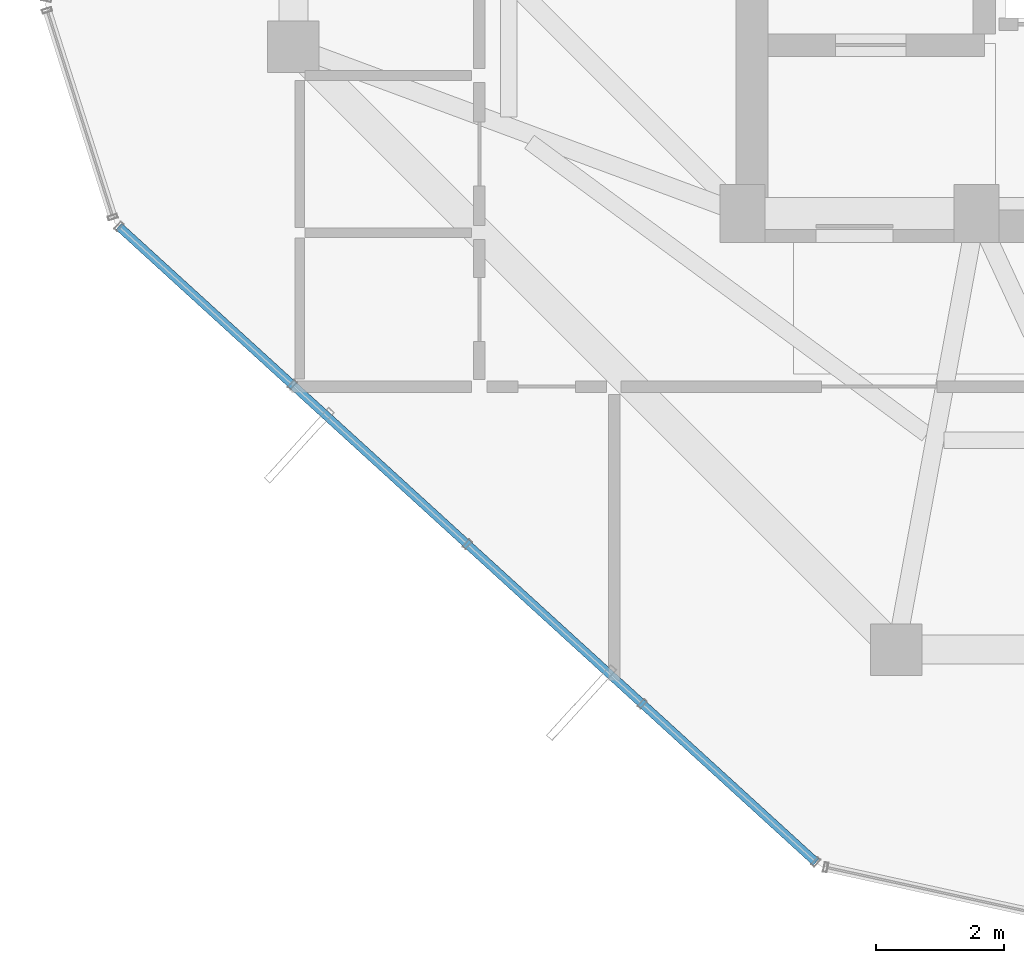
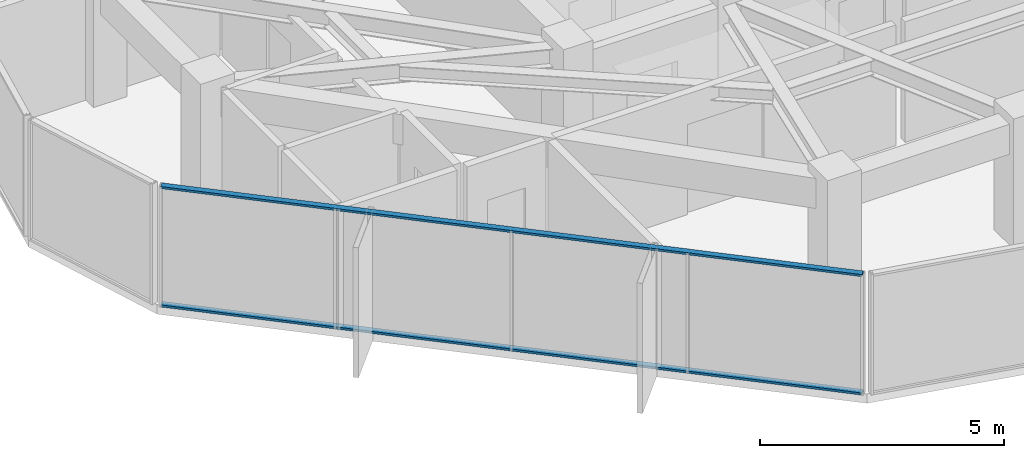
# One storey, part 3 of 28: 2 members, 1 element without a shape of its own.
"""IFC4 building model written with IfcOpenShell, lengths in metres."""

import ifcopenshell
import ifcopenshell.guid

model = None  # the IFC model being written
_history = None  # IfcOwnerHistory: only IFC2X3 demands one
_inside = {}  # id of a spatial element -> (the spatial element, [elements in it])
_under = {}  # id of a project, library or spatial element -> (it, [spatial elements below it])
_declared = {}  # id of a project -> (the project, [libraries it declares])
_typed = {}  # id of a type object -> (the type object, [elements of that type])
_made_of = {}  # id of a material, layer set ... -> (it, [elements and type objects made of it])


def new_model(schema):
    """Start an empty IFC model of exactly this schema.

    Asked for "IFC4X3", IfcOpenShell would pick the latest addendum, in which some entities
    have other attributes; the version numbers below select the first issue.
    IFC2X3 requires an IfcOwnerHistory on every rooted entity: one is made here for all.
    """
    global model, _history
    if schema == "IFC4X3":
        model = ifcopenshell.file(schema_version=(4, 3, 0, 0))
    else:
        model = ifcopenshell.file(schema=schema)
    _inside.clear()
    _under.clear()
    _declared.clear()
    _typed.clear()
    _made_of.clear()
    _history = None
    if model.schema == "IFC2X3":
        org = make("IfcOrganization", Name="unknown")
        user = make(
            "IfcPersonAndOrganization",
            ThePerson=make("IfcPerson", FamilyName="unknown"),
            TheOrganization=org,
        )
        app = make(
            "IfcApplication",
            ApplicationDeveloper=org,
            Version="unknown",
            ApplicationFullName="unknown",
            ApplicationIdentifier="unknown",
        )
        _history = make(
            "IfcOwnerHistory",
            OwningUser=user,
            OwningApplication=app,
            ChangeAction="ADDED",
            CreationDate=0,
        )
    return model


def make(cls, **values):
    """One entity of the class cls with the attributes given. An attribute that is None is left unset."""
    return model.create_entity(
        cls, **{name: value for name, value in values.items() if value is not None}
    )


def rooted(cls, **values):
    """An entity with a GlobalId (a new one), such as an element, a storey or a relation."""
    return make(cls, GlobalId=ifcopenshell.guid.new(), OwnerHistory=_history, **values)


def si_unit(unit_type, name, prefix=None):
    """IfcSIUnit, for example si_unit("LENGTHUNIT", "METRE", prefix="MILLI")."""
    return make("IfcSIUnit", UnitType=unit_type, Prefix=prefix, Name=name)


def assignment(units):
    """IfcUnitAssignment: the units of a project."""
    return None if units is None else make("IfcUnitAssignment", Units=units)


def point(xyz):
    """IfcCartesianPoint."""
    return None if xyz is None else make("IfcCartesianPoint", Coordinates=xyz)


def direction(xyz):
    """IfcDirection."""
    return None if xyz is None else make("IfcDirection", DirectionRatios=xyz)


def frame(location, z_axis=None, x_axis=None):
    """IfcAxis2Placement3D, a coordinate frame: its origin and axes. An axis left out is left unset."""
    return make(
        "IfcAxis2Placement3D",
        Location=point(location),
        Axis=direction(z_axis),
        RefDirection=direction(x_axis),
    )


def frame_2d(location, x_axis=None):
    """IfcAxis2Placement2D, a coordinate frame in the plane: its origin and x axis."""
    return make(
        "IfcAxis2Placement2D", Location=point(location), RefDirection=direction(x_axis)
    )


def origin():
    """The frame at (0, 0, 0) with its axes left unset."""
    return frame((0.0, 0.0, 0.0))


def origin_2d():
    """The frame at (0, 0) in the plane with its x axis left unset."""
    return frame_2d((0.0, 0.0))


def place(relative_to, where):
    """IfcLocalPlacement: puts the frame where relative to a parent placement (None: the world)."""
    return make(
        "IfcLocalPlacement", PlacementRelTo=relative_to, RelativePlacement=where
    )


def context(
    kind, dimensions, precision=None, world=None, true_north=None, identifier=None
):
    """IfcGeometricRepresentationContext, for example the 3D "Model" context."""
    return make(
        "IfcGeometricRepresentationContext",
        ContextIdentifier=identifier,
        ContextType=kind,
        CoordinateSpaceDimension=dimensions,
        Precision=precision,
        WorldCoordinateSystem=world,
        TrueNorth=true_north,
    )


def subcontext(parent, identifier, kind, view, scale=None):
    """IfcGeometricRepresentationSubContext, for example "Body" below "Model"."""
    return make(
        "IfcGeometricRepresentationSubContext",
        ContextIdentifier=identifier,
        ContextType=kind,
        ParentContext=parent,
        TargetScale=scale,
        TargetView=view,
    )


def project(units=None, contexts=None):
    """IfcProject with its units and contexts."""
    return rooted(
        "IfcProject",
        Name="project",
        RepresentationContexts=contexts,
        UnitsInContext=assignment(units),
    )


def spatial(cls, under=None, at=None, **own):
    """A site, building, storey or space (cls), placed at a placement, below another one or the project."""
    s = rooted(cls, ObjectPlacement=at, **own)
    if under is not None:
        _under.setdefault(under.id(), (under, []))[1].append(s)
    return s


def profile(cls, at=None, kind="AREA", **sizes):
    """A parametric profile (cls). Its sizes go by their IFC names, for example OverallWidth=200.0."""
    return make(cls, ProfileType=kind, Position=at, **sizes)


def hollow_rectangle(**sizes):
    """IfcRectangleHollowProfileDef."""
    return profile("IfcRectangleHollowProfileDef", **sizes)


def extrude(swept, where, along, depth):
    """IfcExtrudedAreaSolid: the profile swept, set in the frame where, extruded along a direction by depth."""
    return make(
        "IfcExtrudedAreaSolid",
        SweptArea=swept,
        Position=where,
        ExtrudedDirection=direction(along),
        Depth=depth,
    )


def shape(context_of_items, identifier, shape_type, items):
    """IfcShapeRepresentation: the items that make up one representation, for example the "Body"."""
    return make(
        "IfcShapeRepresentation",
        ContextOfItems=context_of_items,
        RepresentationIdentifier=identifier,
        RepresentationType=shape_type,
        Items=items,
    )


def source(mapping_origin, context_of_items, identifier, shape_type, items):
    """IfcRepresentationMap: a shape defined once, which mapped items show again and again."""
    return make(
        "IfcRepresentationMap",
        MappingOrigin=mapping_origin,
        MappedRepresentation=shape(context_of_items, identifier, shape_type, items),
    )


def transform(
    local_origin,
    x_axis=None,
    y_axis=None,
    z_axis=None,
    scale=None,
    scale2=None,
    scale3=None,
    uniform=True,
):
    """IfcCartesianTransformationOperator3D, or its non-uniform kind. x_axis, y_axis, z_axis: its Axis1, 2, 3."""
    if uniform:
        return make(
            "IfcCartesianTransformationOperator3D",
            Axis1=direction(x_axis),
            Axis2=direction(y_axis),
            LocalOrigin=point(local_origin),
            Scale=scale,
            Axis3=direction(z_axis),
        )
    return make(
        "IfcCartesianTransformationOperator3DnonUniform",
        Axis1=direction(x_axis),
        Axis2=direction(y_axis),
        LocalOrigin=point(local_origin),
        Scale=scale,
        Axis3=direction(z_axis),
        Scale2=scale2,
        Scale3=scale3,
    )


def mapped(mapping_source, mapping_target):
    """IfcMappedItem: shows the shape of a source again, moved by a transform."""
    return make(
        "IfcMappedItem", MappingSource=mapping_source, MappingTarget=mapping_target
    )


def material(Name=None, Category=None):
    """IfcMaterial."""
    return make("IfcMaterial", Name=Name, Category=Category)


def layer(
    of_material, thickness, ventilated=None, Name=None, Category=None, Priority=None
):
    """IfcMaterialLayer: one layer of a wall or slab, of a material (None: an air gap)."""
    return make(
        "IfcMaterialLayer",
        Material=of_material,
        LayerThickness=thickness,
        IsVentilated=ventilated,
        Name=Name,
        Category=Category,
        Priority=Priority,
    )


def layer_set(layers, Name=None):
    """IfcMaterialLayerSet."""
    return make("IfcMaterialLayerSet", MaterialLayers=layers, LayerSetName=Name)


def material_profile(
    of_material, cross_section, Name=None, Category=None, Priority=None
):
    """IfcMaterialProfile: a cross section and its material."""
    return make(
        "IfcMaterialProfile",
        Name=Name,
        Material=of_material,
        Profile=cross_section,
        Priority=Priority,
        Category=Category,
    )


def profile_set(profiles, Name=None, composite=None):
    """IfcMaterialProfileSet."""
    return make(
        "IfcMaterialProfileSet",
        Name=Name,
        MaterialProfiles=profiles,
        CompositeProfile=composite,
    )


def made_of(thing, what):
    """Note that an element or type object is made of a material, layer set ...; save() writes the relation."""
    if what is not None:
        _made_of.setdefault(what.id(), (what, []))[1].append(thing)
    return thing


def type_object(cls, material=None, **own):
    """A type object (cls), such as IfcWallType, which elements share."""
    return made_of(rooted(cls, **own), material)


def element(
    cls,
    number,
    at=None,
    inside=None,
    cuts=None,
    type_object=None,
    material=None,
    context=None,
    identifier="Body",
    shape_type=None,
    held_by="IfcProductDefinitionShape",
    body=None,
    shapes=None,
    **own,
):
    """One element of the class cls, such as IfcWall. Its Tag is "e" and its number.

    at: its placement. inside: the storey or other place that contains it. cuts: it is an
    opening in that element (IfcRelVoidsElement). A single representation is given by context,
    identifier, shape_type and body (its items); several are given by shapes. held_by: the class
    of the entity that holds the representations. save() writes the other relations.
    """
    e = rooted(cls, Tag="e%d" % number, ObjectPlacement=at, **own)
    if body is not None:
        shapes = [shape(context, identifier, shape_type, body)]
    if shapes is not None:
        e.Representation = make(held_by, Representations=shapes)
    if inside is not None:
        _inside.setdefault(inside.id(), (inside, []))[1].append(e)
    if cuts is not None:
        rooted(
            "IfcRelVoidsElement", RelatingBuildingElement=cuts, RelatedOpeningElement=e
        )
    if type_object is not None:
        _typed.setdefault(type_object.id(), (type_object, []))[1].append(e)
    return made_of(e, material)


def aggregate(whole, parts):
    """IfcRelAggregates: a whole, such as a stair, and the parts it consists of."""
    return rooted("IfcRelAggregates", RelatingObject=whole, RelatedObjects=parts)


def save(model, path):
    """Write the relations noted so far, then the file.

    IfcRelAggregates (storeys below a building ...), IfcRelContainedInSpatialStructure (elements
    in a storey), IfcRelDefinesByType, IfcRelAssociatesMaterial and IfcRelDeclares: one each for
    every whole, place, type object, material and project.
    """
    for whole, parts in _under.values():
        aggregate(whole, parts)
    for where, things in _inside.values():
        rooted(
            "IfcRelContainedInSpatialStructure",
            RelatedElements=things,
            RelatingStructure=where,
        )
    for kind, things in _typed.values():
        rooted("IfcRelDefinesByType", RelatedObjects=things, RelatingType=kind)
    for what, things in _made_of.values():
        rooted("IfcRelAssociatesMaterial", RelatedObjects=things, RelatingMaterial=what)
    for by, libraries in _declared.values():
        rooted("IfcRelDeclares", RelatingContext=by, RelatedDefinitions=libraries)
    model.write(path)


model = new_model("IFC4")

# Units and contexts
model_context = context("Model", 3, precision=1e-05, world=origin(), true_north=direction((0.0, 1.0)))
body_context = subcontext(model_context, "Body", "Model", "MODEL_VIEW")
ifc_project = project(units=[si_unit("LENGTHUNIT", "METRE"), si_unit("AREAUNIT", "SQUARE_METRE"), si_unit("VOLUMEUNIT", "CUBIC_METRE"), si_unit("PLANEANGLEUNIT", "RADIAN"), si_unit("MASSUNIT", "GRAM", prefix="KILO")], contexts=[model_context])

# Site, building, storey
site_placement = place(None, origin())
site = spatial("IfcSite", under=ifc_project, at=site_placement, CompositionType="ELEMENT")
building_placement = place(site_placement, origin())
building = spatial("IfcBuilding", under=site, at=building_placement, Name="Veraguas Prism Commons", CompositionType="ELEMENT")
storey_placement = place(building_placement, frame((0.0, 0.0, 251.25)))
storey = spatial("IfcBuildingStorey", under=building, at=storey_placement, Name="L71", CompositionType="ELEMENT", Elevation=251.25)

# Curtain wall, members
ifc_material = material(Name="Anodised aluminium EN AW-6063 T6", Category="aluminium")
ifc_layer = layer(ifc_material, 0.14990234375, Name="Unitised Flush Curtain Wall Zone 4", Category="aluminium")
ifc_layer_set = layer_set([ifc_layer], Name="Anodised aluminium EN AW-6063 T6")
curtain_wall_type = type_object("IfcCurtainWallType", Name="Unitised Flush Curtain Wall Zone 4", PredefinedType="NOTDEFINED", material=ifc_layer_set)
curtain_wall_placement = place(storey_placement, origin())
curtain_wall = element("IfcCurtainWall", 1, at=curtain_wall_placement, inside=storey, type_object=curtain_wall_type, Name="Tower Facade Curtain Wall L71-F4", PredefinedType="NOTDEFINED")
ifc_material_profile = material_profile(ifc_material, hollow_rectangle(XDim=0.054931640625, YDim=0.135009765625, WallThickness=0.0029296875, at=origin_2d()), Name="AL55X135X3")
ifc_profile_set = profile_set([ifc_material_profile], Name="Anodised aluminium EN AW-6063 T6")
member_type = type_object("IfcMemberType", Name="Curtain Wall Transom Standard AL 55x135x3", PredefinedType="USERDEFINED", material=ifc_profile_set)
shared_shape = source(origin(), body_context, "Body", "SweptSolid", [
    extrude(hollow_rectangle(XDim=0.054931640625, YDim=0.135009765625, WallThickness=0.0029296875, at=origin_2d()), origin(), (0.0, 0.0, 1.0), 14.70654296875),
])
member_1_placement = place(storey_placement, frame((7.479736328125, 16.7958984375, 0.027587890625), z_axis=(0.738919135947, -0.673794115833, 0.0), x_axis=(0.0, 0.0, 1.0)))
member_1 = element("IfcMember", 2, at=member_1_placement, type_object=member_type, Name="CW-Z4 Transom 1", ObjectType="TRANSOM", PredefinedType="USERDEFINED", context=body_context, shape_type="MappedRepresentation", body=[
    mapped(shared_shape, transform((0.0, 0.0, 0.0), scale=1.0)),
])
member_2_placement = place(storey_placement, frame((7.479736328125, 16.7958984375, 2.987548828125), z_axis=(0.738919135947, -0.673794115833, 0.0), x_axis=(0.0, 0.0, 1.0)))
member_2 = element("IfcMember", 3, at=member_2_placement, type_object=member_type, Name="CW-Z4 Transom 2", ObjectType="TRANSOM", PredefinedType="USERDEFINED", context=body_context, shape_type="MappedRepresentation", body=[
    mapped(shared_shape, transform((0.0, 0.0, 0.0), scale=1.0)),
])
aggregate(curtain_wall, [member_1, member_2])

save(model, "model.ifc")
